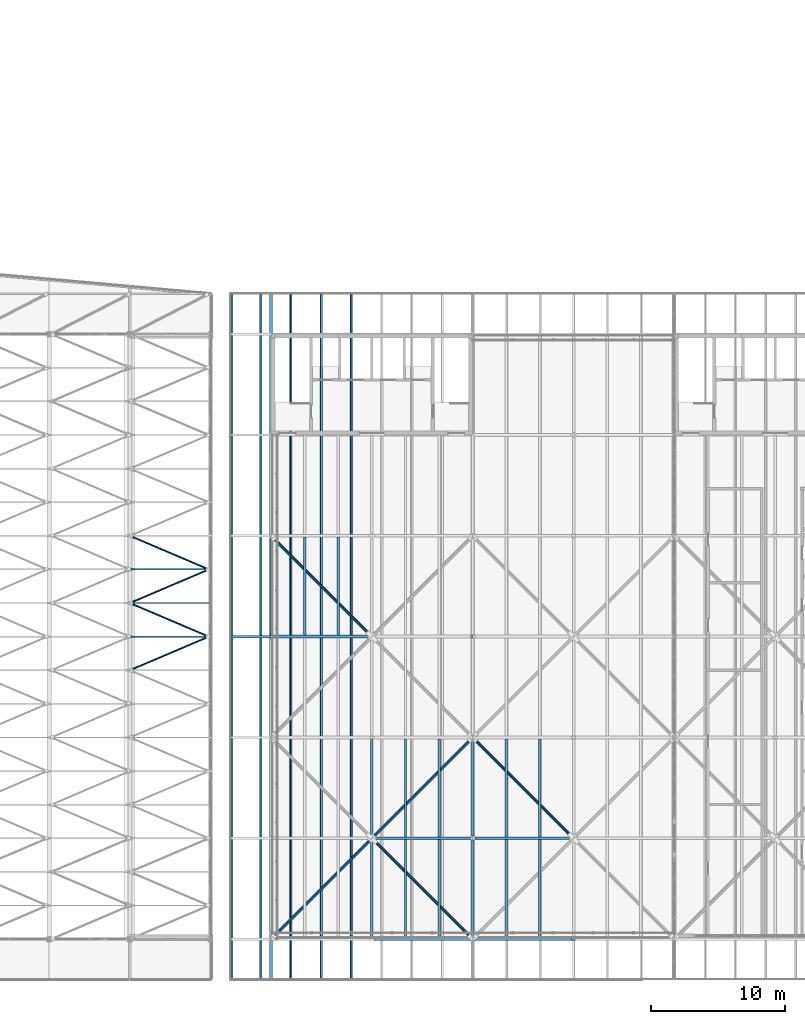
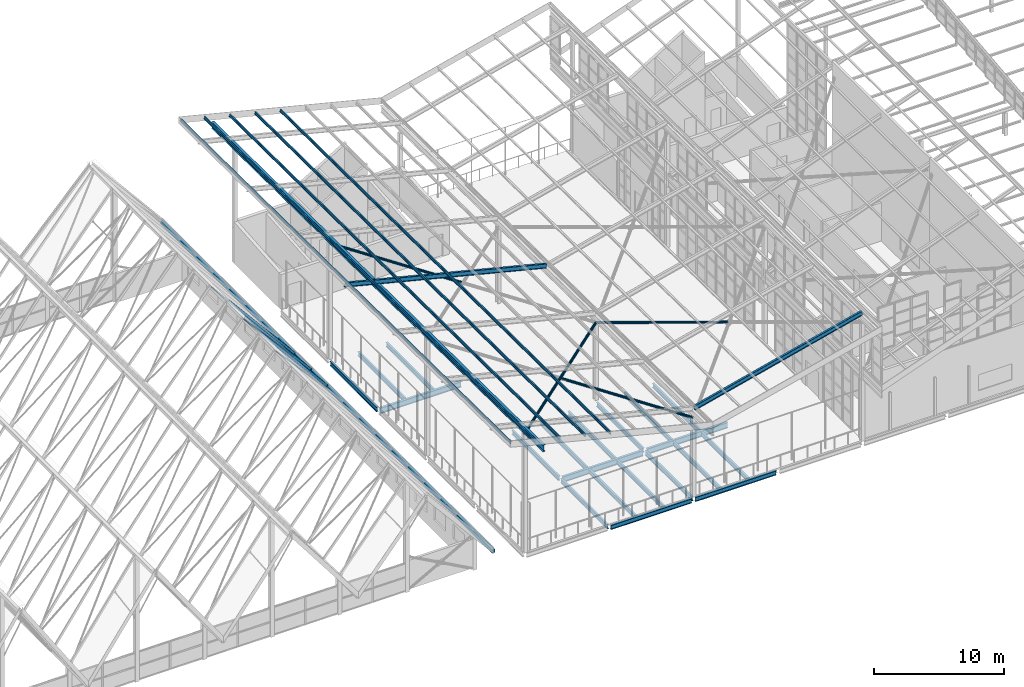
# One storey, part 27 of 483: 21 beams, 19 members.
"""IFC4 building model written with IfcOpenShell, lengths in metres."""

from ifc_helpers import new_model, si_unit, direction, frame, origin, origin_2d, place, context, subcontext, project, spatial, hollow_rectangle, hollow_circle, i_section, extrude, material, material_profile, profile_set, type_object, element, save


model = new_model("IFC4")

# Units and contexts
model_context = context("Model", 3, precision=1e-05, world=origin(), true_north=direction((0.0, 1.0)))
body_context = subcontext(model_context, "Body", "Model", "MODEL_VIEW")
ifc_project = project(units=[si_unit("LENGTHUNIT", "METRE"), si_unit("AREAUNIT", "SQUARE_METRE"), si_unit("VOLUMEUNIT", "CUBIC_METRE"), si_unit("PLANEANGLEUNIT", "RADIAN"), si_unit("MASSUNIT", "GRAM", prefix="KILO")], contexts=[model_context])

# Site, building, storey
site_placement = place(None, origin())
site = spatial("IfcSite", under=ifc_project, at=site_placement, CompositionType="ELEMENT")
building_placement = place(site_placement, origin())
building = spatial("IfcBuilding", under=site, at=building_placement, Name="Parallax Yard Mobility Hub", CompositionType="ELEMENT")
storey_placement = place(building_placement, frame((0.0, 0.0, 13.199951171875)))
storey = spatial("IfcBuildingStorey", under=building, at=storey_placement, Name="L04", CompositionType="ELEMENT", Elevation=13.199951171875)

# Members
ifc_material_1 = material(Name="Steel ASTM A500 Gr C", Category="steel")
ifc_material_profile_1 = material_profile(ifc_material_1, hollow_rectangle(XDim=0.25390625, YDim=0.3046875, WallThickness=0.009521484375, at=origin_2d()), Name="HSS305x254x9.5")
ifc_profile_set_1 = profile_set([ifc_material_profile_1], Name="Steel ASTM A500 Gr C")
member_type_1 = type_object("IfcMemberType", Name="Fold chord HSS305x254x9.5", PredefinedType="CHORD", material=ifc_profile_set_1)
member_1_placement = place(storey_placement, frame((93.0, 4.5, 3.452392578125), z_axis=(0.0, 1.0, 0.0), x_axis=(-1.0, 0.0, 0.0)))
element("IfcMember", 1, at=member_1_placement, inside=storey, type_object=member_type_1, Name="Fold line F15 chord", PredefinedType="CHORD", context=body_context, shape_type="SweptSolid", body=[
    extrude(hollow_rectangle(XDim=0.25390625, YDim=0.3046875, WallThickness=0.009521484375, at=origin_2d()), origin(), (0.0, 0.0, 1.0), 51.0),
])
ifc_material_profile_2 = material_profile(ifc_material_1, hollow_circle(Radius=0.06982421875, WallThickness=0.00634765625, at=origin_2d()), Name="HSS139.7x6.4")
ifc_profile_set_2 = profile_set([ifc_material_profile_2], Name="Steel ASTM A500 Gr C")
member_type_2 = type_object("IfcMemberType", Name="Plate diagonal HSS139.7x6.4", PredefinedType="BRACE", material=ifc_profile_set_2)
for number, where, z_axis, x_axis, name in (
    (2, (87.0, 27.5, 10.385498046875), (0.619547352021, 0.263724845556, -0.739330970838), (-0.391665406317, 0.920107716246, 0.0), "Plate diagonal plate F14-F15 bay 9"),
    (3, (92.873046875, 30.0, 3.376953125), (-0.619547352021, 0.263724845556, 0.739330970838), (-0.391665406317, -0.920107716246, 0.0), "Plate diagonal plate F14-F15 bay 10"),
    (4, (87.0, 32.5, 10.385498046875), (0.619547352021, 0.263724845556, -0.739330970838), (-0.391665406317, 0.920107716246, 0.0), "Plate diagonal plate F14-F15 bay 11"),
    (5, (92.873046875, 35.0, 3.376953125), (-0.619547352021, 0.263724845556, 0.739330970838), (-0.391665406317, -0.920107716246, 0.0), "Plate diagonal plate F14-F15 bay 12"),
):
    element("IfcMember", number, at=place(storey_placement, frame(where, z_axis=z_axis, x_axis=x_axis)), inside=storey, type_object=member_type_2, Name=name, PredefinedType="BRACE", context=body_context, shape_type="SweptSolid", body=[
        extrude(hollow_circle(Radius=0.06982421875, WallThickness=0.00634765625, at=origin_2d()), origin(), (0.0, 0.0, 1.0), 9.4794921875),
    ])
ifc_material_profile_3 = material_profile(ifc_material_1, hollow_circle(Radius=0.109619140625, WallThickness=0.008056640625, at=origin_2d()), Name="HSS219.1x8.0")
ifc_profile_set_3 = profile_set([ifc_material_profile_3], Name="Steel ASTM A500 Gr C")
member_type_3 = type_object("IfcMemberType", Name="Roof brace HSS219.1x8.0", PredefinedType="BRACE", material=ifc_profile_set_3)
member_2_placement = place(storey_placement, frame((97.5, 7.5, 11.1103515625), z_axis=(0.695451893318, 0.695451893318, -0.180812964581), x_axis=(-0.707106781187, 0.707106781187, 0.0)))
element("IfcMember", 6, at=member_2_placement, inside=storey, type_object=member_type_3, Name="Roof X brace west wing bay 1 1", PredefinedType="BRACE", context=body_context, shape_type="SweptSolid", body=[
    extrude(hollow_circle(Radius=0.109619140625, WallThickness=0.008056640625, at=origin_2d()), origin(), (0.0, 0.0, 1.0), 21.568603515625),
])
for number, where, z_axis, x_axis, name in (
    (7, (112.5, 7.5, 7.3603515625), (-0.697138271345, 0.697138271345, 0.167321430943), (-0.707106781187, -0.707106781187, 0.0), "Roof X brace west wing bay 1 2 (half 1)"),
    (8, (104.9306640625, 30.0693359375, 9.027099609375), (-0.697138271345, 0.697138271345, 0.167321430943), (-0.707106781187, -0.707106781187, 0.0), "Roof X brace west wing bay 2 2 (half 2)"),
):
    element("IfcMember", number, at=place(storey_placement, frame(where, z_axis=z_axis, x_axis=x_axis)), inside=storey, type_object=member_type_3, Name=name, PredefinedType="BRACE", context=body_context, shape_type="SweptSolid", body=[
        extrude(hollow_circle(Radius=0.109619140625, WallThickness=0.008056640625, at=origin_2d()), origin(), (0.0, 0.0, 1.0), 10.65869140625),
    ])
member_3_placement = place(storey_placement, frame((112.5, 22.5, 7.21044921875), z_axis=(0.695452358349, -0.695452358349, 0.180809387292), x_axis=(0.707106781187, 0.707106781187, 0.0)))
element("IfcMember", 9, at=member_3_placement, inside=storey, type_object=member_type_3, Name="Roof X brace east wing bay 1 2 (half 1)", PredefinedType="BRACE", context=body_context, shape_type="SweptSolid", body=[
    extrude(hollow_circle(Radius=0.109619140625, WallThickness=0.008056640625, at=origin_2d()), origin(), (0.0, 0.0, 1.0), 10.6845703125),
])

# Beam
ifc_material_2 = material(Name="Steel ASTM A992", Category="steel")
ifc_material_profile_4 = material_profile(ifc_material_2, i_section(OverallWidth=0.22802734375, OverallDepth=0.60302734375, WebThickness=0.010498046875, FlangeThickness=0.014892578125, at=origin_2d()), Name="W610x101")
ifc_profile_set_4 = profile_set([ifc_material_profile_4], Name="Steel ASTM A992")
beam_type_1 = type_object("IfcBeamType", Name="Roof edge girder W610x101", PredefinedType="BEAM", material=ifc_profile_set_4)
beam_1_placement = place(storey_placement, frame((97.5, 4.5, 11.551513671875), z_axis=(0.0, 0.999950001835, -0.009999691492), x_axis=(-1.0, 0.0, 0.0)))
element("IfcBeam", 10, at=beam_1_placement, inside=storey, type_object=beam_type_1, Name="Roof edge girder butterfly line x 97.5", PredefinedType="BEAM", context=body_context, shape_type="SweptSolid", body=[
    extrude(i_section(OverallWidth=0.22802734375, OverallDepth=0.60302734375, WebThickness=0.010498046875, FlangeThickness=0.014892578125, at=origin_2d()), origin(), (0.0, 0.0, 1.0), 51.00244140625),
])

# Members
ifc_material_profile_5 = material_profile(ifc_material_2, i_section(OverallWidth=0.133056640625, OverallDepth=0.20703125, WebThickness=0.005859375, FlangeThickness=0.00830078125, at=origin_2d()), Name="W200x27")
ifc_profile_set_5 = profile_set([ifc_material_profile_5], Name="Steel ASTM A992")
member_type_4 = type_object("IfcMemberType", Name="Roof purlin W200x27", PredefinedType="PURLIN", material=ifc_profile_set_5)
for number, where, z_axis, x_axis, name in (
    (11, (94.594970703125, 4.55908203125, 13.06494140625), (0.0, 0.999950005669, -0.009999308131), (-0.970145223913, 0.002425079502, 0.242512604844), "Roof purlin court west wing line 1"),
    (12, (96.724853515625, 4.55908203125, 12.532470703125), (0.0, 0.999950005669, -0.009999308131), (-0.970145223913, 0.002425079502, 0.242512604844), "Roof purlin court west wing line 2"),
    (13, (98.974853515625, 4.55908203125, 11.969970703125), (0.0, 0.999950005669, -0.009999308131), (-0.970145223913, 0.002425079502, 0.242512604844), "Roof purlin court west wing line 3"),
    (14, (101.224853515625, 4.55908203125, 11.407470703125), (0.0, 0.999950005669, -0.009999308131), (-0.970145223913, 0.002425079502, 0.242512604844), "Roof purlin court west wing line 4"),
    (15, (103.474853515625, 4.55908203125, 10.844970703125), (0.0, 0.999950005669, -0.009999308131), (-0.970145223913, 0.002425079502, 0.242512604844), "Roof purlin court west wing line 5"),
):
    element("IfcMember", number, at=place(storey_placement, frame(where, z_axis=z_axis, x_axis=x_axis)), inside=storey, type_object=member_type_4, Name=name, PredefinedType="PURLIN", context=body_context, shape_type="SweptSolid", body=[
        extrude(i_section(OverallWidth=0.133056640625, OverallDepth=0.20703125, WebThickness=0.005859375, FlangeThickness=0.00830078125, at=origin_2d()), origin(), (0.0, 0.0, 1.0), 50.88232421875),
    ])
ifc_material_profile_6 = material_profile(ifc_material_1, hollow_rectangle(XDim=0.1015625, YDim=0.203125, WallThickness=0.00634765625, at=origin_2d()), Name="HSS203x102x6.4")
ifc_profile_set_6 = profile_set([ifc_material_profile_6], Name="Steel ASTM A500 Gr C")
member_type_5 = type_object("IfcMemberType", Name="Roof rafter HSS203x102x6.4", PredefinedType="RAFTER", material=ifc_profile_set_6)
for number, where, z_axis, x_axis, name in (
    (16, (87.074462890625, 30.0, 10.5634765625), (0.642303597154, 0.0, -0.766450317426), (0.0, 1.0, 0.0), "Roof rafter plate F14-F15 at y 30"),
    (17, (87.074462890625, 32.5, 10.5634765625), (0.642303597154, 0.0, -0.766450317426), (0.0, 1.0, 0.0), "Roof rafter plate F14-F15 at y 32.5"),
    (18, (87.074462890625, 35.0, 10.5634765625), (0.642303597154, 0.0, -0.766450317426), (0.0, 1.0, 0.0), "Roof rafter plate F14-F15 at y 35"),
):
    element("IfcMember", number, at=place(storey_placement, frame(where, z_axis=z_axis, x_axis=x_axis)), inside=storey, type_object=member_type_5, Name=name, PredefinedType="RAFTER", context=body_context, shape_type="SweptSolid", body=[
        extrude(hollow_rectangle(XDim=0.1015625, YDim=0.203125, WallThickness=0.00634765625, at=origin_2d()), origin(), (0.0, 0.0, 1.0), 9.21337890625),
    ])
ifc_material_profile_7 = material_profile(ifc_material_2, i_section(OverallWidth=0.177978515625, OverallDepth=0.406982421875, WebThickness=0.0078125, FlangeThickness=0.0126953125, at=origin_2d()), Name="W410x60")
ifc_profile_set_7 = profile_set([ifc_material_profile_7], Name="Steel ASTM A992")
member_type_6 = type_object("IfcMemberType", Name="Roof rafter W410x60", PredefinedType="RAFTER", material=ifc_profile_set_7)
member_4_placement = place(storey_placement, frame((94.50048828125, 29.998046875, 12.517578125), z_axis=(0.970142500145, 0.0, -0.242535625036), x_axis=(-0.002352689629, 0.999952950131, -0.009410758517)))
element("IfcMember", 19, at=member_4_placement, inside=storey, type_object=member_type_6, Name="Roof rafter court west wing at y 30", PredefinedType="RAFTER", context=body_context, shape_type="SweptSolid", body=[
    extrude(i_section(OverallWidth=0.177978515625, OverallDepth=0.406982421875, WebThickness=0.0078125, FlangeThickness=0.0126953125, at=origin_2d()), origin(), (0.0, 0.0, 1.0), 18.502685546875),
])
member_5_placement = place(storey_placement, frame((112.54931640625, 7.498046875, 8.255126953125), z_axis=(0.970142500145, 0.0, 0.242535625036), x_axis=(0.002352689629, 0.999952950131, -0.009410758517)))
element("IfcMember", 20, at=member_5_placement, inside=storey, type_object=member_type_6, Name="Roof rafter court east wing at y 7.5", PredefinedType="RAFTER", context=body_context, shape_type="SweptSolid", body=[
    extrude(i_section(OverallWidth=0.177978515625, OverallDepth=0.406982421875, WebThickness=0.0078125, FlangeThickness=0.0126953125, at=origin_2d()), origin(), (0.0, 0.0, 1.0), 15.410400390625),
])

# Beams
ifc_material_profile_8 = material_profile(ifc_material_2, i_section(OverallWidth=0.177978515625, OverallDepth=0.406005859375, WebThickness=0.0078125, FlangeThickness=0.0126953125, FilletRadius=0.01025390625, at=origin_2d()), Name="W410x60")
ifc_profile_set_8 = profile_set([ifc_material_profile_8], Name="Steel ASTM A992")
beam_type_2 = type_object("IfcBeamType", Name="W410x60 secondary beam", PredefinedType="JOIST", material=ifc_profile_set_8)
beam_2_placement = place(storey_placement, frame((100.0, 30.1044921875, -0.343017578125), z_axis=(0.0, 1.0, 0.0), x_axis=(-1.0, 0.0, 0.0)))
element("IfcBeam", 21, at=beam_2_placement, inside=storey, type_object=beam_type_2, Name="Secondary beam B1 level L04, 2.5 m east of line 14 of mobility service centre and workshops, span 4", PredefinedType="JOIST", context=body_context, shape_type="SweptSolid", body=[
    extrude(i_section(OverallWidth=0.177978515625, OverallDepth=0.406005859375, WebThickness=0.0078125, FlangeThickness=0.0126953125, FilletRadius=0.01025390625, at=origin_2d()), origin(), (0.0, 0.0, 1.0), 7.291015625),
])
beam_3_placement = place(storey_placement, frame((107.5, 7.589599609375, -0.343017578125), z_axis=(0.0, 1.0, 0.0), x_axis=(-1.0, 0.0, 0.0)))
element("IfcBeam", 22, at=beam_3_placement, inside=storey, type_object=beam_type_2, Name="Secondary beam B1 level L04, 2.5 m east of line 15 of mobility service centre and workshops, span 1", PredefinedType="JOIST", context=body_context, shape_type="SweptSolid", body=[
    extrude(i_section(OverallWidth=0.177978515625, OverallDepth=0.406005859375, WebThickness=0.0078125, FlangeThickness=0.0126953125, FilletRadius=0.01025390625, at=origin_2d()), origin(), (0.0, 0.0, 1.0), 7.305908203125),
])
beam_4_placement = place(storey_placement, frame((107.5, 15.1044921875, -0.343017578125), z_axis=(0.0, 1.0, 0.0), x_axis=(-1.0, 0.0, 0.0)))
element("IfcBeam", 23, at=beam_4_placement, inside=storey, type_object=beam_type_2, Name="Secondary beam B1 level L04, 2.5 m east of line 15 of mobility service centre and workshops, span 2", PredefinedType="JOIST", context=body_context, shape_type="SweptSolid", body=[
    extrude(i_section(OverallWidth=0.177978515625, OverallDepth=0.406005859375, WebThickness=0.0078125, FlangeThickness=0.0126953125, FilletRadius=0.01025390625, at=origin_2d()), origin(), (0.0, 0.0, 1.0), 7.291015625),
])
beam_5_placement = place(storey_placement, frame((115.0, 7.589599609375, -0.343017578125), z_axis=(0.0, 1.0, 0.0), x_axis=(-1.0, 0.0, 0.0)))
element("IfcBeam", 24, at=beam_5_placement, inside=storey, type_object=beam_type_2, Name="Secondary beam B1 level L04, 2.5 m east of line 16 of mobility service centre and workshops, span 1", PredefinedType="JOIST", context=body_context, shape_type="SweptSolid", body=[
    extrude(i_section(OverallWidth=0.177978515625, OverallDepth=0.406005859375, WebThickness=0.0078125, FlangeThickness=0.0126953125, FilletRadius=0.01025390625, at=origin_2d()), origin(), (0.0, 0.0, 1.0), 7.305908203125),
])
for number, where, z_axis, x_axis, name in (
    (25, (115.0, 15.1044921875, -0.343017578125), (0.0, 1.0, 0.0), (-1.0, 0.0, 0.0), "Secondary beam B1 level L04, 2.5 m east of line 16 of mobility service centre and workshops, span 2"),
    (26, (102.5, 30.1044921875, -0.343017578125), (0.0, 1.0, 0.0), (-1.0, 0.0, 0.0), "Secondary beam B1 level L04, 5 m east of line 14 of mobility service centre and workshops, span 4"),
):
    element("IfcBeam", number, at=place(storey_placement, frame(where, z_axis=z_axis, x_axis=x_axis)), inside=storey, type_object=beam_type_2, Name=name, PredefinedType="JOIST", context=body_context, shape_type="SweptSolid", body=[
        extrude(i_section(OverallWidth=0.177978515625, OverallDepth=0.406005859375, WebThickness=0.0078125, FlangeThickness=0.0126953125, FilletRadius=0.01025390625, at=origin_2d()), origin(), (0.0, 0.0, 1.0), 7.291015625),
    ])
beam_6_placement = place(storey_placement, frame((110.0, 7.589599609375, -0.343017578125), z_axis=(0.0, 1.0, 0.0), x_axis=(-1.0, 0.0, 0.0)))
element("IfcBeam", 27, at=beam_6_placement, inside=storey, type_object=beam_type_2, Name="Secondary beam B1 level L04, 5 m east of line 15 of mobility service centre and workshops, span 1", PredefinedType="JOIST", context=body_context, shape_type="SweptSolid", body=[
    extrude(i_section(OverallWidth=0.177978515625, OverallDepth=0.406005859375, WebThickness=0.0078125, FlangeThickness=0.0126953125, FilletRadius=0.01025390625, at=origin_2d()), origin(), (0.0, 0.0, 1.0), 7.305908203125),
])
beam_7_placement = place(storey_placement, frame((110.0, 15.1044921875, -0.343017578125), z_axis=(0.0, 1.0, 0.0), x_axis=(-1.0, 0.0, 0.0)))
element("IfcBeam", 28, at=beam_7_placement, inside=storey, type_object=beam_type_2, Name="Secondary beam B1 level L04, 5 m east of line 15 of mobility service centre and workshops, span 2", PredefinedType="JOIST", context=body_context, shape_type="SweptSolid", body=[
    extrude(i_section(OverallWidth=0.177978515625, OverallDepth=0.406005859375, WebThickness=0.0078125, FlangeThickness=0.0126953125, FilletRadius=0.01025390625, at=origin_2d()), origin(), (0.0, 0.0, 1.0), 7.291015625),
])
beam_8_placement = place(storey_placement, frame((117.5, 7.589599609375, -0.343017578125), z_axis=(0.0, 1.0, 0.0), x_axis=(-1.0, 0.0, 0.0)))
element("IfcBeam", 29, at=beam_8_placement, inside=storey, type_object=beam_type_2, Name="Secondary beam B1 level L04, 5 m east of line 16 of mobility service centre and workshops, span 1", PredefinedType="JOIST", context=body_context, shape_type="SweptSolid", body=[
    extrude(i_section(OverallWidth=0.177978515625, OverallDepth=0.406005859375, WebThickness=0.0078125, FlangeThickness=0.0126953125, FilletRadius=0.01025390625, at=origin_2d()), origin(), (0.0, 0.0, 1.0), 7.305908203125),
])
beam_9_placement = place(storey_placement, frame((117.5, 15.1044921875, -0.343017578125), z_axis=(0.0, 1.0, 0.0), x_axis=(-1.0, 0.0, 0.0)))
element("IfcBeam", 30, at=beam_9_placement, inside=storey, type_object=beam_type_2, Name="Secondary beam B1 level L04, 5 m east of line 16 of mobility service centre and workshops, span 2", PredefinedType="JOIST", context=body_context, shape_type="SweptSolid", body=[
    extrude(i_section(OverallWidth=0.177978515625, OverallDepth=0.406005859375, WebThickness=0.0078125, FlangeThickness=0.0126953125, FilletRadius=0.01025390625, at=origin_2d()), origin(), (0.0, 0.0, 1.0), 7.291015625),
])
ifc_material_profile_9 = material_profile(ifc_material_2, i_section(OverallWidth=0.178955078125, OverallDepth=0.408935546875, WebThickness=0.0087890625, FlangeThickness=0.014404296875, FilletRadius=0.01025390625, at=origin_2d()), Name="W410x67")
ifc_profile_set_9 = profile_set([ifc_material_profile_9], Name="Steel ASTM A992")
beam_type_3 = type_object("IfcBeamType", Name="W410x67 edge beam", PredefinedType="SPANDREL", material=ifc_profile_set_9)
beam_10_placement = place(storey_placement, frame((97.5, 30.153564453125, -0.344482421875), z_axis=(0.0, 1.0, 0.0), x_axis=(-1.0, 0.0, 0.0)))
element("IfcBeam", 31, at=beam_10_placement, inside=storey, type_object=beam_type_3, Name="Edge beam SB3 level L04, line 14 of mobility service centre and workshops, span 4", PredefinedType="SPANDREL", context=body_context, shape_type="SweptSolid", body=[
    extrude(i_section(OverallWidth=0.178955078125, OverallDepth=0.408935546875, WebThickness=0.0087890625, FlangeThickness=0.014404296875, FilletRadius=0.01025390625, at=origin_2d()), origin(), (0.0, 0.0, 1.0), 7.1875),
])
for number, where, z_axis, x_axis, name in (
    (32, (105.152587890625, 7.5, -0.344482421875), (1.0, 0.0, 0.0), (0.0, 1.0, 0.0), "Edge beam SB3 level L04, line B of mobility service centre and workshops, span 2"),
    (33, (112.652587890625, 7.5, -0.344482421875), (1.0, 0.0, 0.0), (0.0, 1.0, 0.0), "Edge beam SB3 level L04, line B of mobility service centre and workshops, span 3"),
):
    element("IfcBeam", number, at=place(storey_placement, frame(where, z_axis=z_axis, x_axis=x_axis)), inside=storey, type_object=beam_type_3, Name=name, PredefinedType="SPANDREL", context=body_context, shape_type="SweptSolid", body=[
        extrude(i_section(OverallWidth=0.178955078125, OverallDepth=0.408935546875, WebThickness=0.0087890625, FlangeThickness=0.014404296875, FilletRadius=0.01025390625, at=origin_2d()), origin(), (0.0, 0.0, 1.0), 7.19482421875),
    ])
ifc_material_profile_10 = material_profile(ifc_material_2, i_section(OverallWidth=0.178955078125, OverallDepth=0.408935546875, WebThickness=0.0087890625, FlangeThickness=0.014404296875, FilletRadius=0.01025390625, at=origin_2d()), Name="W410x67")
ifc_profile_set_10 = profile_set([ifc_material_profile_10], Name="Steel ASTM A992")
beam_type_4 = type_object("IfcBeamType", Name="W410x67 girder", PredefinedType="BEAM", material=ifc_profile_set_10)
for number, where, z_axis, x_axis, name in (
    (34, (105.0, 7.653564453125, -0.344482421875), (0.0, 1.0, 0.0), (-1.0, 0.0, 0.0), "Girder G1 level L04, line 15 of mobility service centre and workshops, span 1"),
    (35, (105.0, 15.153564453125, -0.344482421875), (0.0, 1.0, 0.0), (-1.0, 0.0, 0.0), "Girder G1 level L04, line 15 of mobility service centre and workshops, span 2"),
    (36, (112.5, 7.653564453125, -0.344482421875), (0.0, 1.0, 0.0), (-1.0, 0.0, 0.0), "Girder G1 level L04, line 16 of mobility service centre and workshops, span 1"),
    (37, (112.5, 15.153564453125, -0.344482421875), (0.0, 1.0, 0.0), (-1.0, 0.0, 0.0), "Girder G1 level L04, line 16 of mobility service centre and workshops, span 2"),
):
    element("IfcBeam", number, at=place(storey_placement, frame(where, z_axis=z_axis, x_axis=x_axis)), inside=storey, type_object=beam_type_4, Name=name, PredefinedType="BEAM", context=body_context, shape_type="SweptSolid", body=[
        extrude(i_section(OverallWidth=0.178955078125, OverallDepth=0.408935546875, WebThickness=0.0087890625, FlangeThickness=0.014404296875, FilletRadius=0.01025390625, at=origin_2d()), origin(), (0.0, 0.0, 1.0), 7.19287109375),
    ])
ifc_material_profile_11 = material_profile(ifc_material_2, i_section(OverallWidth=0.208984375, OverallDepth=0.532958984375, WebThickness=0.01025390625, FlangeThickness=0.015625, FilletRadius=0.0126953125, at=origin_2d()), Name="W530x92")
ifc_profile_set_11 = profile_set([ifc_material_profile_11], Name="Steel ASTM A992")
beam_type_5 = type_object("IfcBeamType", Name="W530x92 longitudinal beam", PredefinedType="BEAM", material=ifc_profile_set_11)
for number, where, z_axis, x_axis, name in (
    (38, (105.152587890625, 15.0, -0.406494140625), (1.0, 0.0, 0.0), (0.0, 1.0, 0.0), "Longitudinal beam SB6 level L04, line C of mobility service centre and workshops, span 2"),
    (39, (112.652587890625, 15.0, -0.406494140625), (1.0, 0.0, 0.0), (0.0, 1.0, 0.0), "Longitudinal beam SB6 level L04, line C of mobility service centre and workshops, span 3"),
    (40, (97.652587890625, 30.0, -0.406494140625), (1.0, 0.0, 0.0), (0.0, 1.0, 0.0), "Longitudinal beam SB6 level L04, line E of mobility service centre and workshops, span 1"),
):
    element("IfcBeam", number, at=place(storey_placement, frame(where, z_axis=z_axis, x_axis=x_axis)), inside=storey, type_object=beam_type_5, Name=name, PredefinedType="BEAM", context=body_context, shape_type="SweptSolid", body=[
        extrude(i_section(OverallWidth=0.208984375, OverallDepth=0.532958984375, WebThickness=0.01025390625, FlangeThickness=0.015625, FilletRadius=0.0126953125, at=origin_2d()), origin(), (0.0, 0.0, 1.0), 7.19482421875),
    ])

save(model, "model.ifc")
